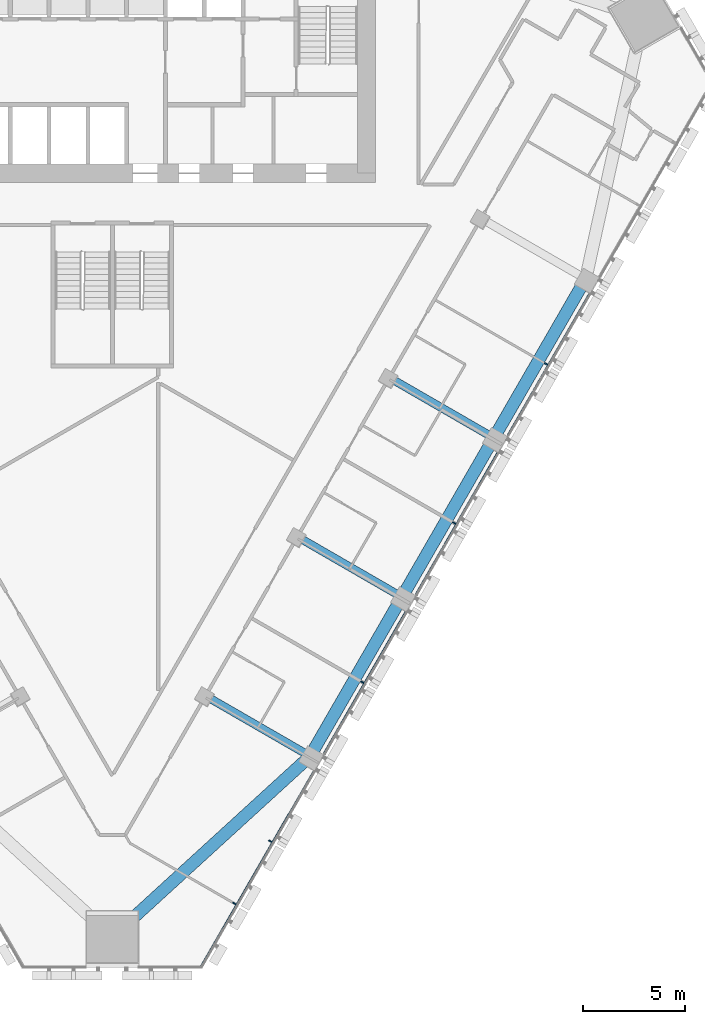
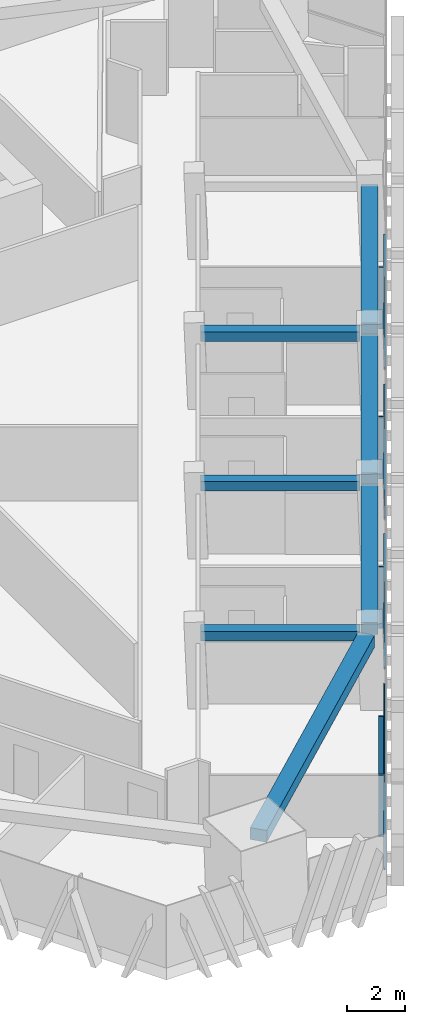
# One storey, part 4 of 16: 9 members, 7 beams, 1 element without a shape of its own.
"""IFC4 building model written with IfcOpenShell, lengths in metres."""

from ifc_helpers import new_model, si_unit, direction, frame, origin, origin_2d, place, context, subcontext, project, spatial, rectangle, extrude, material, layer, layer_set, material_profile, profile_set, type_object, element, aggregate, save


model = new_model("IFC4")

# Units and contexts
model_context = context("Model", 3, precision=1e-05, world=origin(), true_north=direction((0.0, 1.0)))
body_context = subcontext(model_context, "Body", "Model", "MODEL_VIEW")
ifc_project = project(units=[si_unit("LENGTHUNIT", "METRE"), si_unit("AREAUNIT", "SQUARE_METRE"), si_unit("VOLUMEUNIT", "CUBIC_METRE"), si_unit("PLANEANGLEUNIT", "RADIAN"), si_unit("MASSUNIT", "GRAM", prefix="KILO")], contexts=[model_context])

# Site, building, storey
site_placement = place(None, origin())
site = spatial("IfcSite", under=ifc_project, at=site_placement, CompositionType="ELEMENT")
building_placement = place(site_placement, origin())
building = spatial("IfcBuilding", under=site, at=building_placement, Name="Altiplano Prism Tower", CompositionType="ELEMENT")
storey_placement = place(building_placement, frame((0.0, 0.0, 84.60009765625)))
storey = spatial("IfcBuildingStorey", under=building, at=storey_placement, Name="L21", CompositionType="ELEMENT", Elevation=84.60009765625)

# Curtain wall, members
ifc_material_1 = material(Name="Aluminium and glass", Category="aluminium")
ifc_layer = layer(ifc_material_1, 0.280029296875)
ifc_layer_set = layer_set([ifc_layer], Name="Aluminium and glass")
curtain_wall_type = type_object("IfcCurtainWallType", Name="CW1 typical co-living unitised curtain wall", PredefinedType="NOTDEFINED", material=ifc_layer_set)
curtain_wall_placement = place(storey_placement, origin())
curtain_wall = element("IfcCurtainWall", 1, at=curtain_wall_placement, inside=storey, type_object=curtain_wall_type, Name="CW1 curtain wall south-east face L21", PredefinedType="NOTDEFINED")
ifc_material_2 = material(Name="Aluminium", Category="aluminium")
ifc_material_profile_1 = material_profile(ifc_material_2, rectangle(XDim=0.179931640625, YDim=0.06494140625, at=origin_2d()), Name="CW1 mullion 65 x 180")
ifc_profile_set_1 = profile_set([ifc_material_profile_1], Name="Aluminium")
member_type_1 = type_object("IfcMemberType", Name="CW1 mullion 65 x 180", PredefinedType="MULLION", material=ifc_profile_set_1)
member_1_placement = place(storey_placement, frame((90.98095703125, 57.1728515625, 0.0), z_axis=(0.0, 0.0, 1.0), x_axis=(-0.866025399238, 0.500000007875, 0.0)))
member_1 = element("IfcMember", 2, at=member_1_placement, type_object=member_type_1, Name="CW1 mullion", PredefinedType="MULLION", context=body_context, shape_type="SweptSolid", body=[
    extrude(rectangle(XDim=0.179931640625, YDim=0.06494140625, at=origin_2d()), origin(), (0.0, 0.0, 1.0), 2.599853515625),
])
member_2_placement = place(storey_placement, frame((92.7421875, 60.223388671875, 0.0), z_axis=(0.0, 0.0, 1.0), x_axis=(-0.866025399238, 0.500000007875, 0.0)))
member_2 = element("IfcMember", 3, at=member_2_placement, type_object=member_type_1, Name="CW1 mullion", PredefinedType="MULLION", context=body_context, shape_type="SweptSolid", body=[
    extrude(rectangle(XDim=0.179931640625, YDim=0.06494140625, at=origin_2d()), origin(), (0.0, 0.0, 1.0), 2.599853515625),
])
member_3_placement = place(storey_placement, frame((97.2421875, 68.017578125, 0.0), z_axis=(0.0, 0.0, 1.0), x_axis=(-0.866025399238, 0.500000007875, 0.0)))
member_3 = element("IfcMember", 4, at=member_3_placement, type_object=member_type_1, Name="CW1 mullion", PredefinedType="MULLION", context=body_context, shape_type="SweptSolid", body=[
    extrude(rectangle(XDim=0.179931640625, YDim=0.06494140625, at=origin_2d()), origin(), (0.0, 0.0, 1.0), 2.599853515625),
])
member_4_placement = place(storey_placement, frame((101.7421875, 75.811767578125, 0.0), z_axis=(0.0, 0.0, 1.0), x_axis=(-0.866025399238, 0.500000007875, 0.0)))
member_4 = element("IfcMember", 5, at=member_4_placement, type_object=member_type_1, Name="CW1 mullion", PredefinedType="MULLION", context=body_context, shape_type="SweptSolid", body=[
    extrude(rectangle(XDim=0.179931640625, YDim=0.06494140625, at=origin_2d()), origin(), (0.0, 0.0, 1.0), 2.599853515625),
])
member_5_placement = place(storey_placement, frame((106.2421875, 83.60595703125, 0.0), z_axis=(0.0, 0.0, 1.0), x_axis=(-0.866025399238, 0.500000007875, 0.0)))
member_5 = element("IfcMember", 6, at=member_5_placement, type_object=member_type_1, Name="CW1 mullion", PredefinedType="MULLION", context=body_context, shape_type="SweptSolid", body=[
    extrude(rectangle(XDim=0.179931640625, YDim=0.06494140625, at=origin_2d()), origin(), (0.0, 0.0, 1.0), 2.599853515625),
])
ifc_material_profile_2 = material_profile(ifc_material_2, rectangle(XDim=0.06005859375, YDim=0.080078125, at=origin_2d()), Name="CW1 transom 80 x 60")
ifc_profile_set_2 = profile_set([ifc_material_profile_2], Name="Aluminium")
member_type_2 = type_object("IfcMemberType", Name="CW1 transom 80 x 60", PredefinedType="USERDEFINED", material=ifc_profile_set_2)
member_6_placement = place(storey_placement, frame((89.32373046875, 54.062255859375, 1.099853515625), z_axis=(0.499999298661, 0.866025808702, 0.0), x_axis=(-0.866025808702, 0.499999298661, 0.0)))
member_6 = element("IfcMember", 7, at=member_6_placement, type_object=member_type_2, Name="CW1 transom", ObjectType="TRANSOM", PredefinedType="USERDEFINED", context=body_context, shape_type="SweptSolid", body=[
    extrude(rectangle(XDim=0.06005859375, YDim=0.080078125, at=origin_2d()), origin(), (0.0, 0.0, 1.0), 11.09423828125),
])
member_7_placement = place(storey_placement, frame((95.36083984375, 64.51904296875, 1.099853515625), z_axis=(0.500012318566, 0.86601829154, 0.0), x_axis=(-0.86601829154, 0.500012318566, 0.0)))
member_7 = element("IfcMember", 8, at=member_7_placement, type_object=member_type_2, Name="CW1 transom", ObjectType="TRANSOM", PredefinedType="USERDEFINED", context=body_context, shape_type="SweptSolid", body=[
    extrude(rectangle(XDim=0.06005859375, YDim=0.080078125, at=origin_2d()), origin(), (0.0, 0.0, 1.0), 8.019775390625),
])
member_8_placement = place(storey_placement, frame((99.86083984375, 72.313232421875, 1.099853515625), z_axis=(0.500012318566, 0.86601829154, 0.0), x_axis=(-0.86601829154, 0.500012318566, 0.0)))
member_8 = element("IfcMember", 9, at=member_8_placement, type_object=member_type_2, Name="CW1 transom", ObjectType="TRANSOM", PredefinedType="USERDEFINED", context=body_context, shape_type="SweptSolid", body=[
    extrude(rectangle(XDim=0.06005859375, YDim=0.080078125, at=origin_2d()), origin(), (0.0, 0.0, 1.0), 8.019775390625),
])
member_9_placement = place(storey_placement, frame((104.36083984375, 80.107421875, 1.099853515625), z_axis=(0.500012318566, 0.86601829154, 0.0), x_axis=(-0.86601829154, 0.500012318566, 0.0)))
member_9 = element("IfcMember", 10, at=member_9_placement, type_object=member_type_2, Name="CW1 transom", ObjectType="TRANSOM", PredefinedType="USERDEFINED", context=body_context, shape_type="SweptSolid", body=[
    extrude(rectangle(XDim=0.06005859375, YDim=0.080078125, at=origin_2d()), origin(), (0.0, 0.0, 1.0), 8.019775390625),
])
aggregate(curtain_wall, [member_1, member_2, member_6, member_3, member_7, member_4, member_8, member_5, member_9])

# Beams
ifc_material_3 = material(Name="Concrete C60/75", Category="concrete")
ifc_material_profile_3 = material_profile(ifc_material_3, rectangle(XDim=0.60009765625, YDim=0.5, at=origin_2d()), Name="Edge beam 600x500")
ifc_profile_set_3 = profile_set([ifc_material_profile_3], Name="Concrete C60/75")
beam_type_1 = type_object("IfcBeamType", Name="Edge beam 600x500", PredefinedType="SPANDREL", material=ifc_profile_set_3)
beam_1_placement = place(storey_placement, frame((85.332275390625, 55.841064453125, 2.849853515625), z_axis=(0.738225876318, 0.674553597229, 0.0), x_axis=(-0.674553597229, 0.738225876318, 0.0)))
element("IfcBeam", 11, at=beam_1_placement, inside=storey, type_object=beam_type_1, Name="Edge beam M1-P21 L22", PredefinedType="SPANDREL", context=body_context, shape_type="SweptSolid", body=[
    extrude(rectangle(XDim=0.60009765625, YDim=0.5, at=origin_2d()), origin(), (0.0, 0.0, 1.0), 12.31982421875),
])
for number, where, z_axis, x_axis, name in (
    (12, (94.85205078125, 64.6748046875, 2.849853515625), (0.499992746786, 0.866029591389, 0.0), (-0.866029591389, 0.499992746786, 0.0), "Edge beam P21-P22 L22"),
    (13, (99.35205078125, 72.468994140625, 2.849853515625), (0.499992746786, 0.866029591389, 0.0), (-0.866029591389, 0.499992746786, 0.0), "Edge beam P22-P23 L22"),
    (14, (103.85205078125, 80.26318359375, 2.849853515625), (0.499992746786, 0.866029591389, 0.0), (-0.866029591389, 0.499992746786, 0.0), "Edge beam P23-P24 L22"),
):
    element("IfcBeam", number, at=place(storey_placement, frame(where, z_axis=z_axis, x_axis=x_axis)), inside=storey, type_object=beam_type_1, Name=name, PredefinedType="SPANDREL", context=body_context, shape_type="SweptSolid", body=[
        extrude(rectangle(XDim=0.60009765625, YDim=0.5, at=origin_2d()), origin(), (0.0, 0.0, 1.0), 8.33984375),
    ])
ifc_material_profile_4 = material_profile(ifc_material_3, rectangle(XDim=0.39990234375, YDim=0.39990234375, at=origin_2d()), Name="Tie beam 400x400")
ifc_profile_set_4 = profile_set([ifc_material_profile_4], Name="Concrete C60/75")
beam_type_2 = type_object("IfcBeamType", Name="Tie beam 400x400", PredefinedType="BEAM", material=ifc_profile_set_4)
beam_2_placement = place(storey_placement, frame((89.646728515625, 67.298828125, 2.89990234375), z_axis=(0.866031549307, -0.499989355492, 0.0), x_axis=(0.499989355492, 0.866031549307, 0.0)))
element("IfcBeam", 15, at=beam_2_placement, inside=storey, type_object=beam_type_2, Name="Tie beam I21 L22", PredefinedType="BEAM", context=body_context, shape_type="SweptSolid", body=[
    extrude(rectangle(XDim=0.39990234375, YDim=0.39990234375, at=origin_2d()), origin(), (0.0, 0.0, 1.0), 5.48974609375),
])
for number, where, z_axis, x_axis, name in (
    (16, (94.146728515625, 75.09326171875, 2.89990234375), (0.866012292785, -0.50002270823, 0.0), (0.50002270823, 0.866012292785, 0.0), "Tie beam I22 L22"),
    (17, (98.646728515625, 82.887451171875, 2.89990234375), (0.866012292785, -0.50002270823, 0.0), (0.50002270823, 0.866012292785, 0.0), "Tie beam I23 L22"),
):
    element("IfcBeam", number, at=place(storey_placement, frame(where, z_axis=z_axis, x_axis=x_axis)), inside=storey, type_object=beam_type_2, Name=name, PredefinedType="BEAM", context=body_context, shape_type="SweptSolid", body=[
        extrude(rectangle(XDim=0.39990234375, YDim=0.39990234375, at=origin_2d()), origin(), (0.0, 0.0, 1.0), 5.489990234375),
    ])

save(model, "model.ifc")
